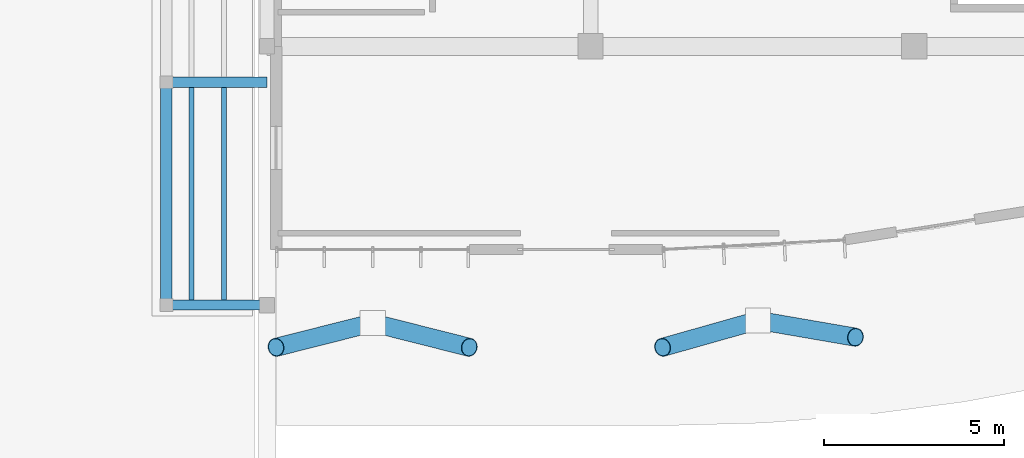
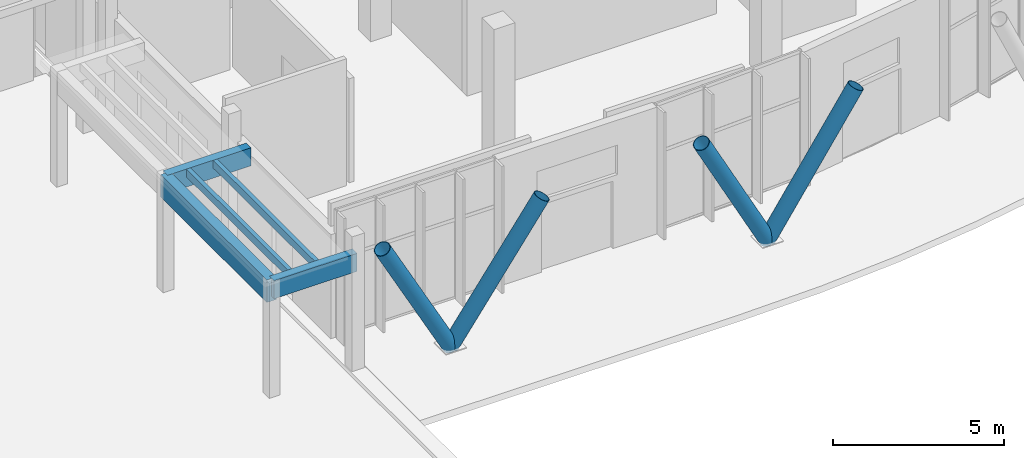
# One storey, part 36 of 151: 6 members, 3 beams.
"""IFC4 building model written with IfcOpenShell, lengths in metres."""

from ifc_helpers import new_model, si_unit, direction, frame, origin, origin_2d, place, context, subcontext, project, spatial, rectangle, hollow_circle, extrude, material, material_profile, profile_set, type_object, element, save


model = new_model("IFC4")

# Units and contexts
model_context = context("Model", 3, precision=1e-05, world=origin(), true_north=direction((0.0, 1.0)))
body_context = subcontext(model_context, "Body", "Model", "MODEL_VIEW")
ifc_project = project(units=[si_unit("LENGTHUNIT", "METRE"), si_unit("AREAUNIT", "SQUARE_METRE"), si_unit("VOLUMEUNIT", "CUBIC_METRE"), si_unit("PLANEANGLEUNIT", "RADIAN"), si_unit("MASSUNIT", "GRAM", prefix="KILO")], contexts=[model_context])

# Site, building, storey
site_placement = place(None, origin())
site = spatial("IfcSite", under=ifc_project, at=site_placement, CompositionType="ELEMENT")
building_placement = place(site_placement, origin())
building = spatial("IfcBuilding", under=site, at=building_placement, Name="Chiffa Square Polytechnic", CompositionType="ELEMENT")
storey_placement = place(building_placement, origin())
storey = spatial("IfcBuildingStorey", under=building, at=storey_placement, Name="L00", CompositionType="ELEMENT", Elevation=0.0)

# Members
ifc_material_1 = material(Name="Steel S355", Category="steel")
ifc_material_profile_1 = material_profile(ifc_material_1, hollow_circle(Radius=0.25390625, WallThickness=0.01611328125, at=origin_2d()), Name="CHS 508x16")
ifc_profile_set_1 = profile_set([ifc_material_profile_1], Name="Steel S355")
member_type_1 = type_object("IfcMemberType", Name="COL-VSTRUT-508", PredefinedType="STRUT", material=ifc_profile_set_1)
member_1_placement = place(storey_placement, frame((115.137939453125, 6.7080078125, 0.0), z_axis=(-0.484918999735, -0.122484989851, 0.8659393691), x_axis=(0.244897006837, -0.969549099346, 0.0)))
element("IfcMember", 1, at=member_1_placement, inside=storey, type_object=member_type_1, Name="Prow steel V-strut CV-V1-L00-01L", PredefinedType="STRUT", context=body_context, shape_type="SweptSolid", body=[
    extrude(hollow_circle(Radius=0.25390625, WallThickness=0.01611328125, at=origin_2d()), origin(), (0.0, 0.0, 1.0), 5.543212890625),
])
member_2_placement = place(storey_placement, frame((115.137939453125, 6.7080078125, 0.0), z_axis=(0.484784235138, -0.1224954532, 0.866013342453), x_axis=(0.244980670982, 0.9695279629, 0.0)))
element("IfcMember", 2, at=member_2_placement, inside=storey, type_object=member_type_1, Name="Prow steel V-strut CV-V1-L00-01R", PredefinedType="STRUT", context=body_context, shape_type="SweptSolid", body=[
    extrude(hollow_circle(Radius=0.25390625, WallThickness=0.01611328125, at=origin_2d()), origin(), (0.0, 0.0, 1.0), 5.542724609375),
])
for number, where, z_axis, x_axis, name in (
    (3, (125.85009765625, 6.778076171875, 0.0), (-0.478887368806, -0.135350202441, 0.867379507884), (0.271980205624, -0.962302846171, 0.0), "Prow steel V-strut CV-V1-L00-02L"),
    (4, (125.85009765625, 6.778076171875, 0.0), (0.49040341848, -0.084572090071, 0.867382296755), (0.169945509599, 0.985453460985, 0.0), "Prow steel V-strut CV-V1-L00-02R"),
):
    element("IfcMember", number, at=place(storey_placement, frame(where, z_axis=z_axis, x_axis=x_axis)), inside=storey, type_object=member_type_1, Name=name, PredefinedType="STRUT", context=body_context, shape_type="SweptSolid", body=[
        extrude(hollow_circle(Radius=0.25390625, WallThickness=0.01611328125, at=origin_2d()), origin(), (0.0, 0.0, 1.0), 5.533935546875),
    ])
ifc_material_2 = material(Name="Glulam GL28h", Category="wood")
ifc_material_profile_2 = material_profile(ifc_material_2, rectangle(XDim=0.139892578125, YDim=0.280029296875, at=origin_2d()), Name="GL28h 140x280")
ifc_profile_set_2 = profile_set([ifc_material_profile_2], Name="Glulam GL28h")
member_type_2 = type_object("IfcMemberType", Name="MEM-RFT-GL140", PredefinedType="RAFTER", material=ifc_profile_set_2)
for number, where, z_axis, x_axis, name in (
    (5, (110.10009765625, 7.340087890625, 3.9599609375), (0.0, 1.0, 0.0), (-1.0, 0.0, 0.0), "Civic square east timber rafter RF-SQE-01-1101"),
    (6, (111.0, 7.340087890625, 3.9599609375), (0.0, 1.0, 0.0), (-1.0, 0.0, 0.0), "Civic square east timber rafter RF-SQE-01-1110"),
):
    element("IfcMember", number, at=place(storey_placement, frame(where, z_axis=z_axis, x_axis=x_axis)), inside=storey, type_object=member_type_2, Name=name, PredefinedType="RAFTER", context=body_context, shape_type="SweptSolid", body=[
        extrude(rectangle(XDim=0.139892578125, YDim=0.280029296875, at=origin_2d()), origin(), (0.0, 0.0, 1.0), 5.919921875),
    ])

# Beams
ifc_material_profile_3 = material_profile(ifc_material_2, rectangle(XDim=0.280029296875, YDim=0.639892578125, at=origin_2d()), Name="GL28h 280x640")
ifc_profile_set_3 = profile_set([ifc_material_profile_3], Name="Glulam GL28h")
beam_type_1 = type_object("IfcBeamType", Name="RB-GL-280X640", PredefinedType="SPANDREL", material=ifc_profile_set_3)
for number, where, z_axis, x_axis, name in (
    (7, (109.39990234375, 7.199951171875, 3.780029296875), (1.0, 0.0, 0.0), (0.0, 1.0, 0.0), "Civic square east portico tie beam RB-SQE-TIE-01"),
    (8, (109.39990234375, 13.39990234375, 3.780029296875), (1.0, 0.0, 0.0), (0.0, 1.0, 0.0), "Civic square east portico tie beam RB-SQE-TIE-02"),
):
    element("IfcBeam", number, at=place(storey_placement, frame(where, z_axis=z_axis, x_axis=x_axis)), inside=storey, type_object=beam_type_1, Name=name, PredefinedType="SPANDREL", context=body_context, shape_type="SweptSolid", body=[
        extrude(rectangle(XDim=0.280029296875, YDim=0.639892578125, at=origin_2d()), origin(), (0.0, 0.0, 1.0), 2.800048828125),
    ])
ifc_material_profile_4 = material_profile(ifc_material_2, rectangle(XDim=0.320068359375, YDim=0.800048828125, at=origin_2d()), Name="GL28h 320x800")
ifc_profile_set_4 = profile_set([ifc_material_profile_4], Name="Glulam GL28h")
beam_type_2 = type_object("IfcBeamType", Name="RB-GL-320X800", PredefinedType="SPANDREL", material=ifc_profile_set_4)
beam_placement = place(storey_placement, frame((109.39990234375, 7.199951171875, 3.699951171875), z_axis=(0.0, 1.0, 0.0), x_axis=(-1.0, 0.0, 0.0)))
element("IfcBeam", 9, at=beam_placement, inside=storey, type_object=beam_type_2, Name="Civic square east portico edge beam RB-SQE-EDGE-01", PredefinedType="SPANDREL", context=body_context, shape_type="SweptSolid", body=[
    extrude(rectangle(XDim=0.320068359375, YDim=0.800048828125, at=origin_2d()), origin(), (0.0, 0.0, 1.0), 6.199951171875),
])

save(model, "model.ifc")
